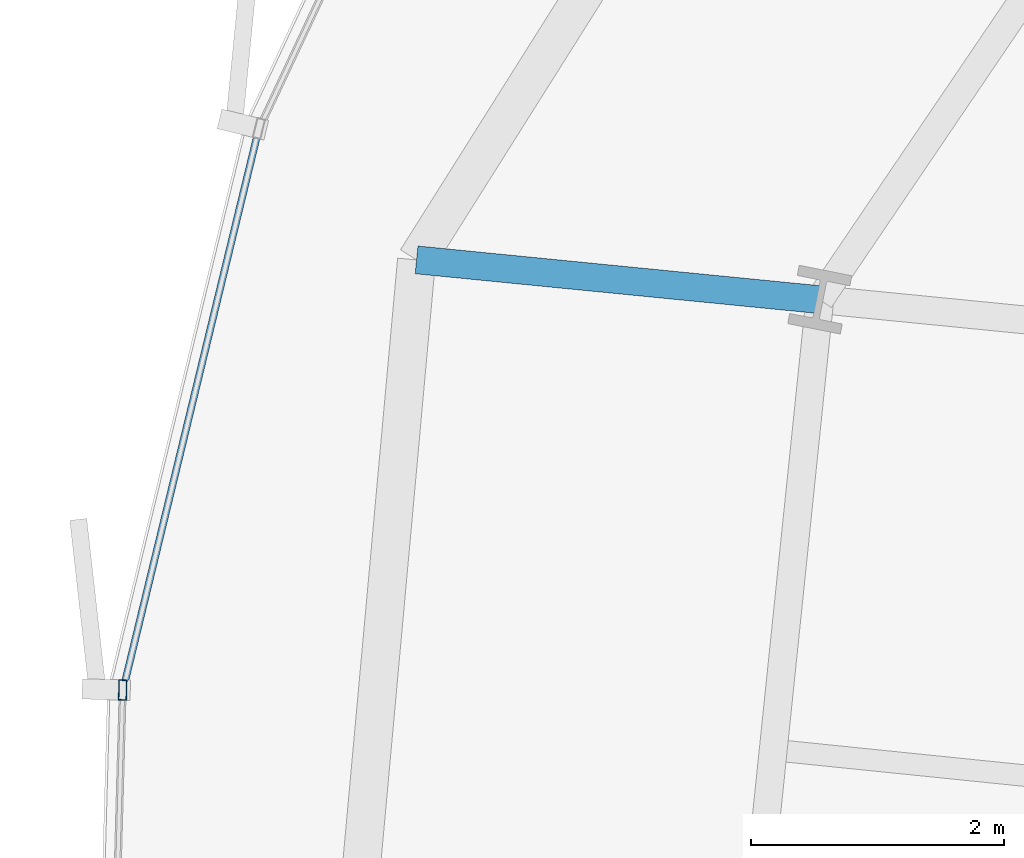
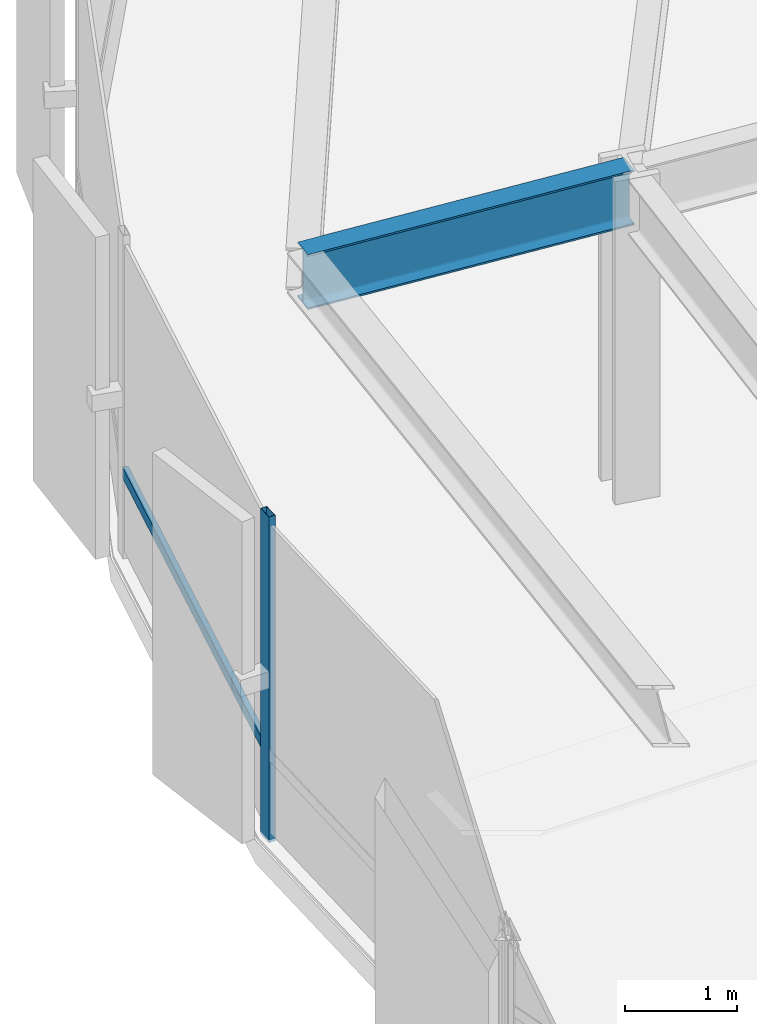
# One storey, part 9 of 37: 2 members, 1 beam, 1 element without a shape of its own.
"""IFC4 building model written with IfcOpenShell, lengths in metres."""

import ifcopenshell
import ifcopenshell.guid

model = None  # the IFC model being written
_history = None  # IfcOwnerHistory: only IFC2X3 demands one
_inside = {}  # id of a spatial element -> (the spatial element, [elements in it])
_under = {}  # id of a project, library or spatial element -> (it, [spatial elements below it])
_declared = {}  # id of a project -> (the project, [libraries it declares])
_typed = {}  # id of a type object -> (the type object, [elements of that type])
_made_of = {}  # id of a material, layer set ... -> (it, [elements and type objects made of it])


def new_model(schema):
    """Start an empty IFC model of exactly this schema.

    Asked for "IFC4X3", IfcOpenShell would pick the latest addendum, in which some entities
    have other attributes; the version numbers below select the first issue.
    IFC2X3 requires an IfcOwnerHistory on every rooted entity: one is made here for all.
    """
    global model, _history
    if schema == "IFC4X3":
        model = ifcopenshell.file(schema_version=(4, 3, 0, 0))
    else:
        model = ifcopenshell.file(schema=schema)
    _inside.clear()
    _under.clear()
    _declared.clear()
    _typed.clear()
    _made_of.clear()
    _history = None
    if model.schema == "IFC2X3":
        org = make("IfcOrganization", Name="unknown")
        user = make(
            "IfcPersonAndOrganization",
            ThePerson=make("IfcPerson", FamilyName="unknown"),
            TheOrganization=org,
        )
        app = make(
            "IfcApplication",
            ApplicationDeveloper=org,
            Version="unknown",
            ApplicationFullName="unknown",
            ApplicationIdentifier="unknown",
        )
        _history = make(
            "IfcOwnerHistory",
            OwningUser=user,
            OwningApplication=app,
            ChangeAction="ADDED",
            CreationDate=0,
        )
    return model


def make(cls, **values):
    """One entity of the class cls with the attributes given. An attribute that is None is left unset."""
    return model.create_entity(
        cls, **{name: value for name, value in values.items() if value is not None}
    )


def rooted(cls, **values):
    """An entity with a GlobalId (a new one), such as an element, a storey or a relation."""
    return make(cls, GlobalId=ifcopenshell.guid.new(), OwnerHistory=_history, **values)


def si_unit(unit_type, name, prefix=None):
    """IfcSIUnit, for example si_unit("LENGTHUNIT", "METRE", prefix="MILLI")."""
    return make("IfcSIUnit", UnitType=unit_type, Prefix=prefix, Name=name)


def assignment(units):
    """IfcUnitAssignment: the units of a project."""
    return None if units is None else make("IfcUnitAssignment", Units=units)


def point(xyz):
    """IfcCartesianPoint."""
    return None if xyz is None else make("IfcCartesianPoint", Coordinates=xyz)


def direction(xyz):
    """IfcDirection."""
    return None if xyz is None else make("IfcDirection", DirectionRatios=xyz)


def frame(location, z_axis=None, x_axis=None):
    """IfcAxis2Placement3D, a coordinate frame: its origin and axes. An axis left out is left unset."""
    return make(
        "IfcAxis2Placement3D",
        Location=point(location),
        Axis=direction(z_axis),
        RefDirection=direction(x_axis),
    )


def frame_2d(location, x_axis=None):
    """IfcAxis2Placement2D, a coordinate frame in the plane: its origin and x axis."""
    return make(
        "IfcAxis2Placement2D", Location=point(location), RefDirection=direction(x_axis)
    )


def origin():
    """The frame at (0, 0, 0) with its axes left unset."""
    return frame((0.0, 0.0, 0.0))


def origin_2d():
    """The frame at (0, 0) in the plane with its x axis left unset."""
    return frame_2d((0.0, 0.0))


def place(relative_to, where):
    """IfcLocalPlacement: puts the frame where relative to a parent placement (None: the world)."""
    return make(
        "IfcLocalPlacement", PlacementRelTo=relative_to, RelativePlacement=where
    )


def context(
    kind, dimensions, precision=None, world=None, true_north=None, identifier=None
):
    """IfcGeometricRepresentationContext, for example the 3D "Model" context."""
    return make(
        "IfcGeometricRepresentationContext",
        ContextIdentifier=identifier,
        ContextType=kind,
        CoordinateSpaceDimension=dimensions,
        Precision=precision,
        WorldCoordinateSystem=world,
        TrueNorth=true_north,
    )


def subcontext(parent, identifier, kind, view, scale=None):
    """IfcGeometricRepresentationSubContext, for example "Body" below "Model"."""
    return make(
        "IfcGeometricRepresentationSubContext",
        ContextIdentifier=identifier,
        ContextType=kind,
        ParentContext=parent,
        TargetScale=scale,
        TargetView=view,
    )


def project(units=None, contexts=None):
    """IfcProject with its units and contexts."""
    return rooted(
        "IfcProject",
        Name="project",
        RepresentationContexts=contexts,
        UnitsInContext=assignment(units),
    )


def spatial(cls, under=None, at=None, **own):
    """A site, building, storey or space (cls), placed at a placement, below another one or the project."""
    s = rooted(cls, ObjectPlacement=at, **own)
    if under is not None:
        _under.setdefault(under.id(), (under, []))[1].append(s)
    return s


def profile(cls, at=None, kind="AREA", **sizes):
    """A parametric profile (cls). Its sizes go by their IFC names, for example OverallWidth=200.0."""
    return make(cls, ProfileType=kind, Position=at, **sizes)


def hollow_rectangle(**sizes):
    """IfcRectangleHollowProfileDef."""
    return profile("IfcRectangleHollowProfileDef", **sizes)


def i_section(**sizes):
    """IfcIShapeProfileDef."""
    return profile("IfcIShapeProfileDef", **sizes)


def extrude(swept, where, along, depth):
    """IfcExtrudedAreaSolid: the profile swept, set in the frame where, extruded along a direction by depth."""
    return make(
        "IfcExtrudedAreaSolid",
        SweptArea=swept,
        Position=where,
        ExtrudedDirection=direction(along),
        Depth=depth,
    )


def shape(context_of_items, identifier, shape_type, items):
    """IfcShapeRepresentation: the items that make up one representation, for example the "Body"."""
    return make(
        "IfcShapeRepresentation",
        ContextOfItems=context_of_items,
        RepresentationIdentifier=identifier,
        RepresentationType=shape_type,
        Items=items,
    )


def source(mapping_origin, context_of_items, identifier, shape_type, items):
    """IfcRepresentationMap: a shape defined once, which mapped items show again and again."""
    return make(
        "IfcRepresentationMap",
        MappingOrigin=mapping_origin,
        MappedRepresentation=shape(context_of_items, identifier, shape_type, items),
    )


def transform(
    local_origin,
    x_axis=None,
    y_axis=None,
    z_axis=None,
    scale=None,
    scale2=None,
    scale3=None,
    uniform=True,
):
    """IfcCartesianTransformationOperator3D, or its non-uniform kind. x_axis, y_axis, z_axis: its Axis1, 2, 3."""
    if uniform:
        return make(
            "IfcCartesianTransformationOperator3D",
            Axis1=direction(x_axis),
            Axis2=direction(y_axis),
            LocalOrigin=point(local_origin),
            Scale=scale,
            Axis3=direction(z_axis),
        )
    return make(
        "IfcCartesianTransformationOperator3DnonUniform",
        Axis1=direction(x_axis),
        Axis2=direction(y_axis),
        LocalOrigin=point(local_origin),
        Scale=scale,
        Axis3=direction(z_axis),
        Scale2=scale2,
        Scale3=scale3,
    )


def mapped(mapping_source, mapping_target):
    """IfcMappedItem: shows the shape of a source again, moved by a transform."""
    return make(
        "IfcMappedItem", MappingSource=mapping_source, MappingTarget=mapping_target
    )


def material(Name=None, Category=None):
    """IfcMaterial."""
    return make("IfcMaterial", Name=Name, Category=Category)


def layer(
    of_material, thickness, ventilated=None, Name=None, Category=None, Priority=None
):
    """IfcMaterialLayer: one layer of a wall or slab, of a material (None: an air gap)."""
    return make(
        "IfcMaterialLayer",
        Material=of_material,
        LayerThickness=thickness,
        IsVentilated=ventilated,
        Name=Name,
        Category=Category,
        Priority=Priority,
    )


def layer_set(layers, Name=None):
    """IfcMaterialLayerSet."""
    return make("IfcMaterialLayerSet", MaterialLayers=layers, LayerSetName=Name)


def material_profile(
    of_material, cross_section, Name=None, Category=None, Priority=None
):
    """IfcMaterialProfile: a cross section and its material."""
    return make(
        "IfcMaterialProfile",
        Name=Name,
        Material=of_material,
        Profile=cross_section,
        Priority=Priority,
        Category=Category,
    )


def profile_set(profiles, Name=None, composite=None):
    """IfcMaterialProfileSet."""
    return make(
        "IfcMaterialProfileSet",
        Name=Name,
        MaterialProfiles=profiles,
        CompositeProfile=composite,
    )


def made_of(thing, what):
    """Note that an element or type object is made of a material, layer set ...; save() writes the relation."""
    if what is not None:
        _made_of.setdefault(what.id(), (what, []))[1].append(thing)
    return thing


def type_object(cls, material=None, **own):
    """A type object (cls), such as IfcWallType, which elements share."""
    return made_of(rooted(cls, **own), material)


def element(
    cls,
    number,
    at=None,
    inside=None,
    cuts=None,
    type_object=None,
    material=None,
    context=None,
    identifier="Body",
    shape_type=None,
    held_by="IfcProductDefinitionShape",
    body=None,
    shapes=None,
    **own,
):
    """One element of the class cls, such as IfcWall. Its Tag is "e" and its number.

    at: its placement. inside: the storey or other place that contains it. cuts: it is an
    opening in that element (IfcRelVoidsElement). A single representation is given by context,
    identifier, shape_type and body (its items); several are given by shapes. held_by: the class
    of the entity that holds the representations. save() writes the other relations.
    """
    e = rooted(cls, Tag="e%d" % number, ObjectPlacement=at, **own)
    if body is not None:
        shapes = [shape(context, identifier, shape_type, body)]
    if shapes is not None:
        e.Representation = make(held_by, Representations=shapes)
    if inside is not None:
        _inside.setdefault(inside.id(), (inside, []))[1].append(e)
    if cuts is not None:
        rooted(
            "IfcRelVoidsElement", RelatingBuildingElement=cuts, RelatedOpeningElement=e
        )
    if type_object is not None:
        _typed.setdefault(type_object.id(), (type_object, []))[1].append(e)
    return made_of(e, material)


def aggregate(whole, parts):
    """IfcRelAggregates: a whole, such as a stair, and the parts it consists of."""
    return rooted("IfcRelAggregates", RelatingObject=whole, RelatedObjects=parts)


def save(model, path):
    """Write the relations noted so far, then the file.

    IfcRelAggregates (storeys below a building ...), IfcRelContainedInSpatialStructure (elements
    in a storey), IfcRelDefinesByType, IfcRelAssociatesMaterial and IfcRelDeclares: one each for
    every whole, place, type object, material and project.
    """
    for whole, parts in _under.values():
        aggregate(whole, parts)
    for where, things in _inside.values():
        rooted(
            "IfcRelContainedInSpatialStructure",
            RelatedElements=things,
            RelatingStructure=where,
        )
    for kind, things in _typed.values():
        rooted("IfcRelDefinesByType", RelatedObjects=things, RelatingType=kind)
    for what, things in _made_of.values():
        rooted("IfcRelAssociatesMaterial", RelatedObjects=things, RelatingMaterial=what)
    for by, libraries in _declared.values():
        rooted("IfcRelDeclares", RelatingContext=by, RelatedDefinitions=libraries)
    model.write(path)


model = new_model("IFC4")

# Units and contexts
model_context = context("Model", 3, precision=1e-05, world=origin(), true_north=direction((0.0, 1.0)))
body_context = subcontext(model_context, "Body", "Model", "MODEL_VIEW")
ifc_project = project(units=[si_unit("LENGTHUNIT", "METRE"), si_unit("AREAUNIT", "SQUARE_METRE"), si_unit("VOLUMEUNIT", "CUBIC_METRE"), si_unit("PLANEANGLEUNIT", "RADIAN"), si_unit("MASSUNIT", "GRAM", prefix="KILO"), si_unit("THERMODYNAMICTEMPERATUREUNIT", "KELVIN")], contexts=[model_context])

# Site, building, storey
site_placement = place(None, origin())
site = spatial("IfcSite", under=ifc_project, at=site_placement, CompositionType="ELEMENT")
building_placement = place(site_placement, origin())
building = spatial("IfcBuilding", under=site, at=building_placement, Name="Kethvar Cultural Tower", CompositionType="ELEMENT")
storey_placement = place(building_placement, frame((0.0, 0.0, 48.60009765625)))
storey = spatial("IfcBuildingStorey", under=building, at=storey_placement, Name="L11", CompositionType="ELEMENT", Elevation=48.60009765625)

# Beam
ifc_material_1 = material(Name="Steel S355J2", Category="steel")
ifc_material_profile_1 = material_profile(ifc_material_1, i_section(OverallWidth=0.219970703125, OverallDepth=0.60009765625, WebThickness=0.011962890625, FlangeThickness=0.01904296875, FilletRadius=0.02392578125, at=origin_2d()), Name="Steel S355J2 — IPE600")
ifc_profile_set_1 = profile_set([ifc_material_profile_1], Name="Steel S355J2 — IPE600")
beam_type = type_object("IfcBeamType", Name="BM-IPE600", PredefinedType="BEAM", material=ifc_profile_set_1)
shared_shape_1 = source(origin(), body_context, "Body", "SweptSolid", [
    extrude(i_section(OverallWidth=0.219970703125, OverallDepth=0.60009765625, WebThickness=0.011962890625, FlangeThickness=0.01904296875, FilletRadius=0.02392578125, at=origin_2d()), origin(), (0.0, 0.0, 1.0), 3.199951171875),
])
beam_placement = place(storey_placement, frame((21.047119140625, 32.922607421875, 3.247802734375), z_axis=(-0.995167757846, 0.098189275096, 0.0), x_axis=(-0.098189275096, -0.995167757846, 0.0)))
element("IfcBeam", 1, at=beam_placement, inside=storey, type_object=beam_type, Name="L11 Perimeter Cantilever Beam RC-08", PredefinedType="BEAM", context=body_context, shape_type="MappedRepresentation", body=[
    mapped(shared_shape_1, transform((0.0, 0.0, 0.0), scale=1.0)),
])

# Curtain wall, members
ifc_material_2 = material(Name="Aluminium 6063-T6", Category="aluminium")
ifc_layer = layer(ifc_material_2, 0.179931640625, Name="Aluminium 6063-T6", Category="aluminium")
ifc_layer_set = layer_set([ifc_layer], Name="Aluminium 6063-T6 (180 mm)")
curtain_wall_type = type_object("IfcCurtainWallType", Name="CW-SYS-02-Z1", PredefinedType="NOTDEFINED", material=ifc_layer_set)
curtain_wall_placement = place(storey_placement, origin())
curtain_wall = element("IfcCurtainWall", 2, at=curtain_wall_placement, inside=storey, type_object=curtain_wall_type, Name="L11 Curtain Wall Run 03", PredefinedType="NOTDEFINED")
ifc_material_profile_2 = material_profile(ifc_material_2, hollow_rectangle(XDim=0.06494140625, YDim=0.159912109375, WallThickness=0.0048828125, at=origin_2d()), Name="Aluminium 6063-T6 — RHS160x65x5")
ifc_profile_set_2 = profile_set([ifc_material_profile_2], Name="Aluminium 6063-T6 — RHS160x65x5")
member_type_1 = type_object("IfcMemberType", Name="CW-SYS-02-Z1-MUL", PredefinedType="MULLION", material=ifc_profile_set_2)
shared_shape_2 = source(origin(), body_context, "Body", "SweptSolid", [
    extrude(hollow_rectangle(XDim=0.06494140625, YDim=0.159912109375, WallThickness=0.0048828125, at=origin_2d()), origin(), (0.0, 0.0, 1.0), 3.5498046875),
])
member_1_placement = place(storey_placement, frame((15.54150390625, 29.839599609375, 0.0), z_axis=(0.0, 0.0, 1.0), x_axis=(0.999614488629, -0.02776461999, 0.0)))
member_1 = element("IfcMember", 3, at=member_1_placement, type_object=member_type_1, Name="CW-L11-R03 Mullion 6", PredefinedType="MULLION", context=body_context, shape_type="MappedRepresentation", body=[
    mapped(shared_shape_2, transform((0.0, 0.0, 0.0), scale=1.0)),
])
ifc_material_profile_3 = material_profile(ifc_material_2, hollow_rectangle(XDim=0.054931640625, YDim=0.1201171875, WallThickness=0.00390625, at=origin_2d()), Name="Aluminium 6063-T6 — RHS120x55x4")
ifc_profile_set_3 = profile_set([ifc_material_profile_3], Name="Aluminium 6063-T6 — RHS120x55x4")
member_type_2 = type_object("IfcMemberType", Name="CW-SYS-02-Z1-TRN", PredefinedType="USERDEFINED", material=ifc_profile_set_3)
shared_shape_3 = source(origin(), body_context, "Body", "SweptSolid", [
    extrude(hollow_rectangle(XDim=0.054931640625, YDim=0.1201171875, WallThickness=0.00390625, at=origin_2d()), origin(), (0.0, 0.0, 1.0), 4.495361328125),
])
member_2_placement = place(storey_placement, frame((16.606201171875, 34.2294921875, 0.949951171875), z_axis=(-0.235155453829, -0.97195777302, 0.0), x_axis=(0.97195777302, -0.235155453829, 0.0)))
member_2 = element("IfcMember", 4, at=member_2_placement, type_object=member_type_2, Name="CW-L11-R03 Transom 5", ObjectType="TRANSOM", PredefinedType="USERDEFINED", context=body_context, shape_type="MappedRepresentation", body=[
    mapped(shared_shape_3, transform((0.0, 0.0, 0.0), scale=1.0)),
])
aggregate(curtain_wall, [member_1, member_2])

save(model, "model.ifc")
